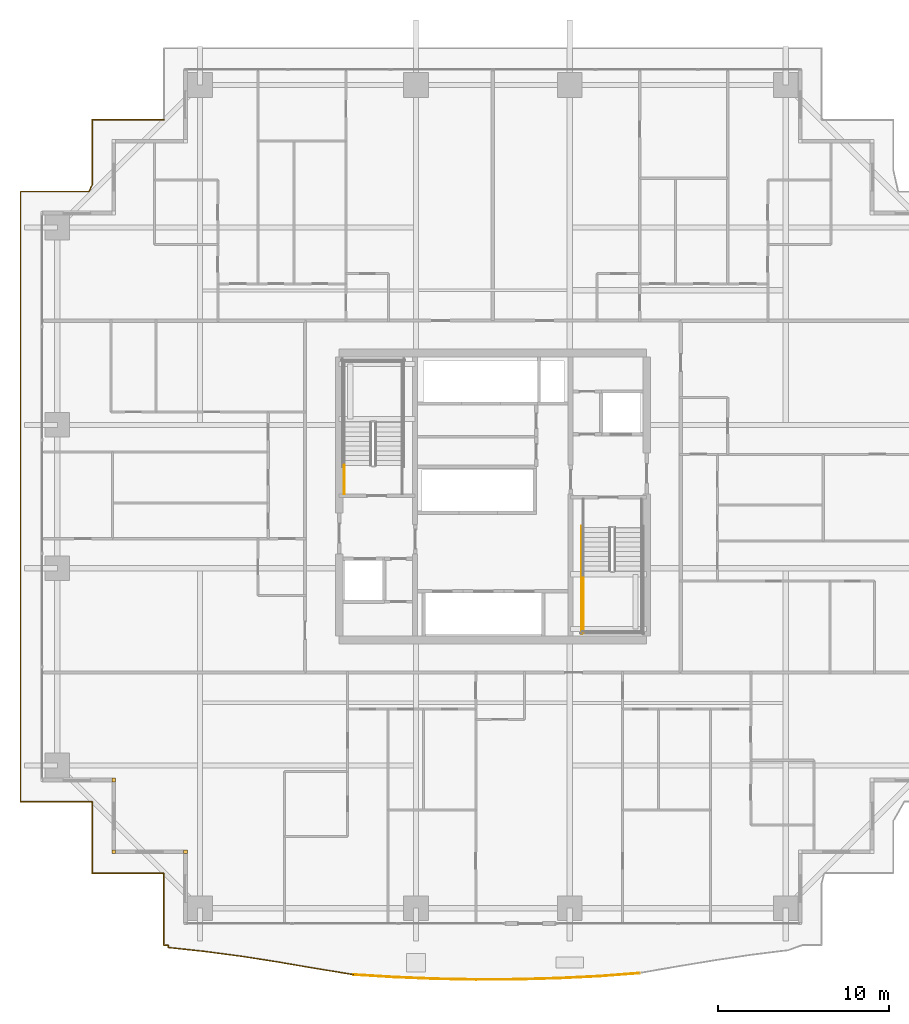
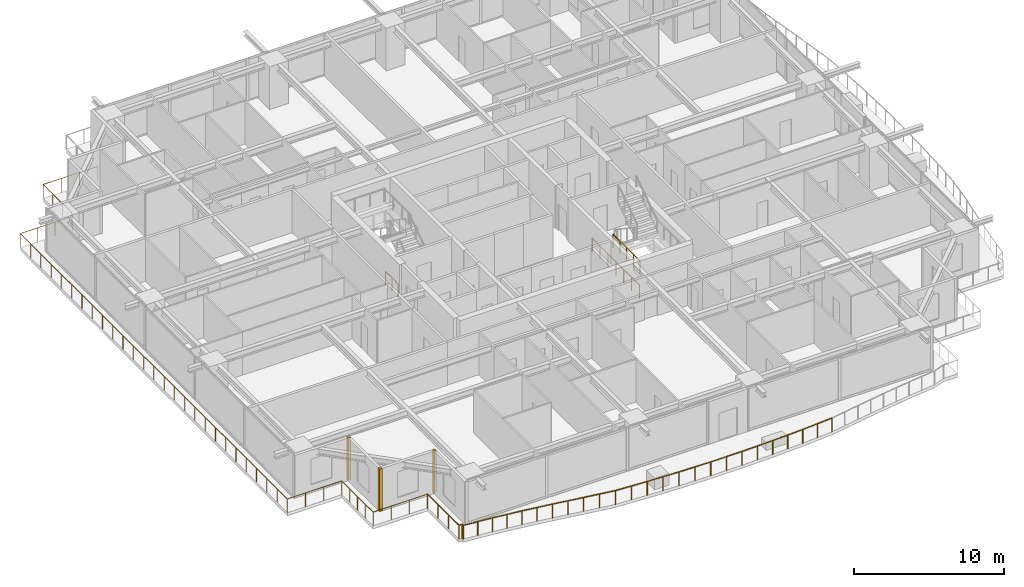
# One storey, part 34 of 39: 6 railings, 3 coverings.
"""IFC4 building model written with IfcOpenShell, lengths in metres."""

from ifc_helpers import new_model, si_unit, direction, frame, origin, origin_2d, place, context, subcontext, project, spatial, rectangle, circle, extrude, source, transform, mapped, material, layer, layer_set, type_object, element, save


model = new_model("IFC4")

# Units and contexts
model_context = context("Model", 3, precision=1e-05, world=origin(), true_north=direction((0.0, 1.0)))
body_context = subcontext(model_context, "Body", "Model", "MODEL_VIEW")
ifc_project = project(units=[si_unit("LENGTHUNIT", "METRE"), si_unit("AREAUNIT", "SQUARE_METRE"), si_unit("VOLUMEUNIT", "CUBIC_METRE"), si_unit("PLANEANGLEUNIT", "RADIAN"), si_unit("MASSUNIT", "GRAM", prefix="KILO")], contexts=[model_context])

# Site, building, storey
site_placement = place(None, origin())
site = spatial("IfcSite", under=ifc_project, at=site_placement, CompositionType="ELEMENT")
building_placement = place(site_placement, origin())
building = spatial("IfcBuilding", under=site, at=building_placement, Name="Serunith Strait Residences", CompositionType="ELEMENT")
storey_placement = place(building_placement, frame((0.0, 0.0, 94.199951171875)))
storey = spatial("IfcBuildingStorey", under=building, at=storey_placement, Name="L23", CompositionType="ELEMENT", Elevation=94.199951171875)

# Railings
ifc_material_1 = material(Name="Stainless Steel & Laminated Glass Balustrade", Category="steel")
railing_type_1 = type_object("IfcRailingType", Name="RLG-BALC-1150", PredefinedType="BALUSTRADE", material=ifc_material_1)
railing_1_placement = place(storey_placement, frame((13.139892578125, 3.139892578125, -0.050048828125)))
element("IfcRailing", 1, at=railing_1_placement, inside=storey, type_object=railing_type_1, Name="L23 Swirling Balcony Perimeter Balustrade 1", PredefinedType="BALUSTRADE", context=body_context, shape_type="SweptSolid", body=[
    extrude(circle(Radius=0.02392578125, at=origin_2d()), frame((-0.001953125, 0.0, 1.1259765625), z_axis=(-1.0, 0.0, 0.0), x_axis=(0.0, -1.0, 0.0)), (0.0, 0.0, 1.0), 4.196044921875),
    extrude(circle(Radius=0.02392578125, at=origin_2d()), frame((-4.199951171875, 0.001953125, 1.1259765625), z_axis=(0.0, 1.0, 0.0), x_axis=(-1.0, 0.0, 0.0)), (0.0, 0.0, 1.0), 4.1962890625),
    extrude(circle(Radius=0.02392578125, at=origin_2d()), frame((-4.201904296875, 4.2001953125, 1.1259765625), z_axis=(-1.0, 0.0, 0.0), x_axis=(0.0, -1.0, 0.0)), (0.0, 0.0, 1.0), 4.196044921875),
    extrude(circle(Radius=0.02392578125, at=origin_2d()), frame((-8.39990234375, 4.2021484375, 1.1259765625), z_axis=(0.0, 1.0, 0.0), x_axis=(-1.0, 0.0, 0.0)), (0.0, 0.0, 1.0), 35.716064453125),
    extrude(circle(Radius=0.02392578125, at=origin_2d()), frame((-8.39794921875, 39.920166015625, 1.1259765625), z_axis=(1.0, 0.0, 0.0), x_axis=(0.0, 1.0, 0.0)), (0.0, 0.0, 1.0), 4.014892578125),
    extrude(circle(Radius=0.02392578125, at=origin_2d()), frame((-4.38037109375, 39.921875, 1.1259765625), z_axis=(0.414518347731, 0.91004095479, 0.0), x_axis=(-0.91004095479, 0.414518347731, 0.0)), (0.0, 0.0, 1.0), 0.43310546875),
    extrude(circle(Radius=0.02392578125, at=origin_2d()), frame((-4.199951171875, 40.31982421875, 1.1259765625), z_axis=(0.0, 1.0, 0.0), x_axis=(-1.0, 0.0, 0.0)), (0.0, 0.0, 1.0), 3.79833984375),
    extrude(circle(Radius=0.02392578125, at=origin_2d()), frame((-4.197998046875, 44.1201171875, 1.1259765625), z_axis=(1.0, 0.0, 0.0), x_axis=(0.0, 1.0, 0.0)), (0.0, 0.0, 1.0), 4.196044921875),
    extrude(circle(Radius=0.02099609375, at=origin_2d()), origin(), (0.0, 0.0, 1.0), 1.099853515625),
    extrude(circle(Radius=0.02099609375, at=origin_2d()), frame((-1.39990234375, 0.0, 0.0)), (0.0, 0.0, 1.0), 1.099853515625),
    extrude(circle(Radius=0.02099609375, at=origin_2d()), frame((-2.800048828125, 0.0, 0.0)), (0.0, 0.0, 1.0), 1.099853515625),
    extrude(circle(Radius=0.02099609375, at=origin_2d()), frame((-4.199951171875, 0.0, 0.0)), (0.0, 0.0, 1.0), 1.099853515625),
    extrude(circle(Radius=0.02099609375, at=origin_2d()), frame((-4.199951171875, 1.050048828125, 0.0)), (0.0, 0.0, 1.0), 1.099853515625),
    extrude(circle(Radius=0.02099609375, at=origin_2d()), frame((-4.199951171875, 2.10009765625, 0.0)), (0.0, 0.0, 1.0), 1.099853515625),
    extrude(circle(Radius=0.02099609375, at=origin_2d()), frame((-4.199951171875, 3.150146484375, 0.0)), (0.0, 0.0, 1.0), 1.099853515625),
    extrude(circle(Radius=0.02099609375, at=origin_2d()), frame((-4.199951171875, 4.2001953125, 0.0)), (0.0, 0.0, 1.0), 1.099853515625),
    extrude(circle(Radius=0.02099609375, at=origin_2d()), frame((-5.599853515625, 4.2001953125, 0.0)), (0.0, 0.0, 1.0), 1.099853515625),
    extrude(circle(Radius=0.02099609375, at=origin_2d()), frame((-7.0, 4.2001953125, 0.0)), (0.0, 0.0, 1.0), 1.099853515625),
    extrude(circle(Radius=0.02099609375, at=origin_2d()), frame((-8.39990234375, 4.2001953125, 0.0)), (0.0, 0.0, 1.0), 1.099853515625),
    extrude(circle(Radius=0.02099609375, at=origin_2d()), frame((-8.39990234375, 5.573974609375, 0.0)), (0.0, 0.0, 1.0), 1.099853515625),
    extrude(circle(Radius=0.02099609375, at=origin_2d()), frame((-8.39990234375, 6.947998046875, 0.0)), (0.0, 0.0, 1.0), 1.099853515625),
    extrude(circle(Radius=0.02099609375, at=origin_2d()), frame((-8.39990234375, 8.32177734375, 0.0)), (0.0, 0.0, 1.0), 1.099853515625),
    extrude(circle(Radius=0.02099609375, at=origin_2d()), frame((-8.39990234375, 9.695556640625, 0.0)), (0.0, 0.0, 1.0), 1.099853515625),
    extrude(circle(Radius=0.02099609375, at=origin_2d()), frame((-8.39990234375, 11.0693359375, 0.0)), (0.0, 0.0, 1.0), 1.099853515625),
    extrude(circle(Radius=0.02099609375, at=origin_2d()), frame((-8.39990234375, 12.443359375, 0.0)), (0.0, 0.0, 1.0), 1.099853515625),
    extrude(circle(Radius=0.02099609375, at=origin_2d()), frame((-8.39990234375, 13.817138671875, 0.0)), (0.0, 0.0, 1.0), 1.099853515625),
    extrude(circle(Radius=0.02099609375, at=origin_2d()), frame((-8.39990234375, 15.19091796875, 0.0)), (0.0, 0.0, 1.0), 1.099853515625),
    extrude(circle(Radius=0.02099609375, at=origin_2d()), frame((-8.39990234375, 16.564697265625, 0.0)), (0.0, 0.0, 1.0), 1.099853515625),
    extrude(circle(Radius=0.02099609375, at=origin_2d()), frame((-8.39990234375, 17.938720703125, 0.0)), (0.0, 0.0, 1.0), 1.099853515625),
    extrude(circle(Radius=0.02099609375, at=origin_2d()), frame((-8.39990234375, 19.3125, 0.0)), (0.0, 0.0, 1.0), 1.099853515625),
    extrude(circle(Radius=0.02099609375, at=origin_2d()), frame((-8.39990234375, 20.686279296875, 0.0)), (0.0, 0.0, 1.0), 1.099853515625),
    extrude(circle(Radius=0.02099609375, at=origin_2d()), frame((-8.39990234375, 22.06005859375, 0.0)), (0.0, 0.0, 1.0), 1.099853515625),
    extrude(circle(Radius=0.02099609375, at=origin_2d()), frame((-8.39990234375, 23.43408203125, 0.0)), (0.0, 0.0, 1.0), 1.099853515625),
    extrude(circle(Radius=0.02099609375, at=origin_2d()), frame((-8.39990234375, 24.807861328125, 0.0)), (0.0, 0.0, 1.0), 1.099853515625),
    extrude(circle(Radius=0.02099609375, at=origin_2d()), frame((-8.39990234375, 26.181640625, 0.0)), (0.0, 0.0, 1.0), 1.099853515625),
    extrude(circle(Radius=0.02099609375, at=origin_2d()), frame((-8.39990234375, 27.5556640625, 0.0)), (0.0, 0.0, 1.0), 1.099853515625),
    extrude(circle(Radius=0.02099609375, at=origin_2d()), frame((-8.39990234375, 28.929443359375, 0.0)), (0.0, 0.0, 1.0), 1.099853515625),
    extrude(circle(Radius=0.02099609375, at=origin_2d()), frame((-8.39990234375, 30.30322265625, 0.0)), (0.0, 0.0, 1.0), 1.099853515625),
    extrude(circle(Radius=0.02099609375, at=origin_2d()), frame((-8.39990234375, 31.677001953125, 0.0)), (0.0, 0.0, 1.0), 1.099853515625),
    extrude(circle(Radius=0.02099609375, at=origin_2d()), frame((-8.39990234375, 33.051025390625, 0.0)), (0.0, 0.0, 1.0), 1.099853515625),
    extrude(circle(Radius=0.02099609375, at=origin_2d()), frame((-8.39990234375, 34.4248046875, 0.0)), (0.0, 0.0, 1.0), 1.099853515625),
    extrude(circle(Radius=0.02099609375, at=origin_2d()), frame((-8.39990234375, 35.798583984375, 0.0)), (0.0, 0.0, 1.0), 1.099853515625),
    extrude(circle(Radius=0.02099609375, at=origin_2d()), frame((-8.39990234375, 37.17236328125, 0.0)), (0.0, 0.0, 1.0), 1.099853515625),
    extrude(circle(Radius=0.02099609375, at=origin_2d()), frame((-8.39990234375, 38.54638671875, 0.0)), (0.0, 0.0, 1.0), 1.099853515625),
    extrude(circle(Radius=0.02099609375, at=origin_2d()), frame((-8.39990234375, 39.920166015625, 0.0)), (0.0, 0.0, 1.0), 1.099853515625),
    extrude(circle(Radius=0.02099609375, at=origin_2d()), frame((-7.060302734375, 39.920166015625, 0.0)), (0.0, 0.0, 1.0), 1.099853515625),
    extrude(circle(Radius=0.02099609375, at=origin_2d()), frame((-5.720703125, 39.920166015625, 0.0)), (0.0, 0.0, 1.0), 1.099853515625),
    extrude(circle(Radius=0.02099609375, at=origin_2d()), frame((-4.381103515625, 39.920166015625, 0.0)), (0.0, 0.0, 1.0), 1.099853515625),
    extrude(circle(Radius=0.02099609375, at=origin_2d()), frame((-4.199951171875, 40.31787109375, 0.0)), (0.0, 0.0, 1.0), 1.099853515625),
    extrude(circle(Radius=0.02099609375, at=origin_2d()), frame((-4.199951171875, 41.585205078125, 0.0)), (0.0, 0.0, 1.0), 1.099853515625),
    extrude(circle(Radius=0.02099609375, at=origin_2d()), frame((-4.199951171875, 42.852783203125, 0.0)), (0.0, 0.0, 1.0), 1.099853515625),
    extrude(circle(Radius=0.02099609375, at=origin_2d()), frame((-4.199951171875, 44.1201171875, 0.0)), (0.0, 0.0, 1.0), 1.099853515625),
    extrude(circle(Radius=0.02099609375, at=origin_2d()), frame((-2.800048828125, 44.1201171875, 0.0)), (0.0, 0.0, 1.0), 1.099853515625),
    extrude(circle(Radius=0.02099609375, at=origin_2d()), frame((-1.39990234375, 44.1201171875, 0.0)), (0.0, 0.0, 1.0), 1.099853515625),
    extrude(circle(Radius=0.02099609375, at=origin_2d()), frame((0.0, 44.1201171875, 0.0)), (0.0, 0.0, 1.0), 1.099853515625),
])
railing_2_placement = place(storey_placement, frame((40.99365234375, -2.701171875, -0.050048828125)))
element("IfcRailing", 2, at=railing_2_placement, inside=storey, type_object=railing_type_1, Name="L23 Swirling Balcony Perimeter Balustrade 7", PredefinedType="BALUSTRADE", context=body_context, shape_type="SweptSolid", body=[
    extrude(circle(Radius=0.02392578125, at=origin_2d()), frame((-0.001953125, -0.000244140625, 1.1259765625), z_axis=(-0.997074556134, -0.076435132692, 0.0), x_axis=(0.076435132692, -0.997074556134, 0.0)), (0.0, 0.0, 1.0), 2.353271484375),
    extrude(circle(Radius=0.02392578125, at=origin_2d()), frame((-2.352294921875, -0.18017578125, 1.1259765625), z_axis=(-0.998794478111, -0.049087579848, 0.0), x_axis=(0.049087579848, -0.998794478111, 0.0)), (0.0, 0.0, 1.0), 2.38818359375),
    extrude(circle(Radius=0.02392578125, at=origin_2d()), frame((-4.74169921875, -0.297607421875, 1.1259765625), z_axis=(-0.99960160212, -0.028224759335, 0.0), x_axis=(0.028224759335, -0.99960160212, 0.0)), (0.0, 0.0, 1.0), 2.409423828125),
    extrude(circle(Radius=0.02392578125, at=origin_2d()), frame((-7.154052734375, -0.36572265625, 1.1259765625), z_axis=(-0.999987297816, -0.005040258558, 0.0), x_axis=(0.005040258558, -0.999987297816, 0.0)), (0.0, 0.0, 1.0), 2.41796875),
    extrude(circle(Radius=0.02392578125, at=origin_2d()), frame((-9.575927734375, -0.3779296875, 1.1259765625), z_axis=(-0.999825481432, 0.018681720439, 0.0), x_axis=(-0.018681720439, -0.999825481432, 0.0)), (0.0, 0.0, 1.0), 2.41357421875),
    extrude(circle(Radius=0.02392578125, at=origin_2d()), frame((-11.9931640625, -0.332763671875, 1.1259765625), z_axis=(-0.999138529198, 0.041499391216, 0.0), x_axis=(-0.041499391216, -0.999138529198, 0.0)), (0.0, 0.0, 1.0), 2.396240234375),
    extrude(circle(Radius=0.02392578125, at=origin_2d()), frame((-14.391357421875, -0.23291015625, 1.1259765625), z_axis=(-0.998129495838, 0.061135174317, 0.0), x_axis=(-0.061135174317, -0.998129495838, 0.0)), (0.0, 0.0, 1.0), 2.3681640625),
    extrude(circle(Radius=0.02099609375, at=origin_2d()), origin(), (0.0, 0.0, 1.0), 1.099853515625),
    extrude(circle(Radius=0.02099609375, at=origin_2d()), frame((-1.17529296875, -0.090087890625, 0.0)), (0.0, 0.0, 1.0), 1.099853515625),
    extrude(circle(Radius=0.02099609375, at=origin_2d()), frame((-2.350341796875, -0.18017578125, 0.0)), (0.0, 0.0, 1.0), 1.099853515625),
    extrude(circle(Radius=0.02099609375, at=origin_2d()), frame((-3.544921875, -0.23876953125, 0.0)), (0.0, 0.0, 1.0), 1.099853515625),
    extrude(circle(Radius=0.02099609375, at=origin_2d()), frame((-4.73974609375, -0.297607421875, 0.0)), (0.0, 0.0, 1.0), 1.099853515625),
    extrude(circle(Radius=0.02099609375, at=origin_2d()), frame((-5.94580078125, -0.33154296875, 0.0)), (0.0, 0.0, 1.0), 1.099853515625),
    extrude(circle(Radius=0.02099609375, at=origin_2d()), frame((-7.152099609375, -0.36572265625, 0.0)), (0.0, 0.0, 1.0), 1.099853515625),
    extrude(circle(Radius=0.02099609375, at=origin_2d()), frame((-8.363037109375, -0.371826171875, 0.0)), (0.0, 0.0, 1.0), 1.099853515625),
    extrude(circle(Radius=0.02099609375, at=origin_2d()), frame((-9.573974609375, -0.3779296875, 0.0)), (0.0, 0.0, 1.0), 1.099853515625),
    extrude(circle(Radius=0.02099609375, at=origin_2d()), frame((-10.78271484375, -0.35546875, 0.0)), (0.0, 0.0, 1.0), 1.099853515625),
    extrude(circle(Radius=0.02099609375, at=origin_2d()), frame((-11.9912109375, -0.332763671875, 0.0)), (0.0, 0.0, 1.0), 1.099853515625),
    extrude(circle(Radius=0.02099609375, at=origin_2d()), frame((-13.1904296875, -0.282958984375, 0.0)), (0.0, 0.0, 1.0), 1.099853515625),
    extrude(circle(Radius=0.02099609375, at=origin_2d()), frame((-14.389404296875, -0.233154296875, 0.0)), (0.0, 0.0, 1.0), 1.099853515625),
    extrude(circle(Radius=0.02099609375, at=origin_2d()), frame((-15.5732421875, -0.16064453125, 0.0)), (0.0, 0.0, 1.0), 1.099853515625),
    extrude(circle(Radius=0.02099609375, at=origin_2d()), frame((-16.757080078125, -0.088134765625, 0.0)), (0.0, 0.0, 1.0), 1.099853515625),
])
railing_3_placement = place(storey_placement, frame((24.236572265625, -2.789306640625, -0.050048828125)))
element("IfcRailing", 3, at=railing_3_placement, inside=storey, type_object=railing_type_1, Name="L23 Swirling Balcony Perimeter Balustrade 8", PredefinedType="BALUSTRADE", context=body_context, shape_type="SweptSolid", body=[
    extrude(circle(Radius=0.02392578125, at=origin_2d()), frame((-0.001953125, 0.000244140625, 1.1259765625), z_axis=(-0.986797491527, 0.161958978499, 0.0), x_axis=(-0.161958978499, -0.986797491527, 0.0)), (0.0, 0.0, 1.0), 2.2841796875),
    extrude(circle(Radius=0.02392578125, at=origin_2d()), frame((-2.260009765625, 0.370849609375, 1.1259765625), z_axis=(-0.985684859819, 0.168598212103, 0.0), x_axis=(-0.168598212103, -0.985684859819, 0.0)), (0.0, 0.0, 1.0), 2.22021484375),
    extrude(circle(Radius=0.02392578125, at=origin_2d()), frame((-4.452392578125, 0.745849609375, 1.1259765625), z_axis=(-0.988155433612, 0.153456309817, 0.0), x_axis=(-0.153456309817, -0.988155433612, 0.0)), (0.0, 0.0, 1.0), 2.17236328125),
    extrude(circle(Radius=0.02392578125, at=origin_2d()), frame((-6.60302734375, 1.079833984375, 1.1259765625), z_axis=(-0.991416687265, 0.130740017637, 0.0), x_axis=(-0.130740017637, -0.991416687265, 0.0)), (0.0, 0.0, 1.0), 2.1416015625),
    extrude(circle(Radius=0.02392578125, at=origin_2d()), frame((-8.730224609375, 1.3603515625, 1.1259765625), z_axis=(-0.994367093253, 0.105990961196, 0.0), x_axis=(-0.105990961196, -0.994367093253, 0.0)), (0.0, 0.0, 1.0), 2.126708984375),
    extrude(circle(Radius=0.02392578125, at=origin_2d()), frame((-10.846923828125, 1.587890625, 1.1259765625), z_axis=(0.006814151846, 0.999976783398, 0.0), x_axis=(-0.999976783398, 0.006814151846, 0.0)), (0.0, 0.0, 1.0), 0.139404296875),
    extrude(circle(Radius=0.02392578125, at=origin_2d()), frame((-10.847900390625, 1.729248046875, 1.1259765625), z_axis=(-1.0, 0.0, 0.0), x_axis=(0.0, -1.0, 0.0)), (0.0, 0.0, 1.0), 0.246826171875),
    extrude(circle(Radius=0.02392578125, at=origin_2d()), frame((-11.0966796875, 1.731201171875, 1.1259765625), z_axis=(0.0, 1.0, 0.0), x_axis=(-1.0, 0.0, 0.0)), (0.0, 0.0, 1.0), 4.196044921875),
    extrude(circle(Radius=0.02099609375, at=origin_2d()), origin(), (0.0, 0.0, 1.0), 1.099853515625),
    extrude(circle(Radius=0.02099609375, at=origin_2d()), frame((-1.12890625, 0.185302734375, 0.0)), (0.0, 0.0, 1.0), 1.099853515625),
    extrude(circle(Radius=0.02099609375, at=origin_2d()), frame((-2.258056640625, 0.37060546875, 0.0)), (0.0, 0.0, 1.0), 1.099853515625),
    extrude(circle(Radius=0.02099609375, at=origin_2d()), frame((-3.354248046875, 0.55810546875, 0.0)), (0.0, 0.0, 1.0), 1.099853515625),
    extrude(circle(Radius=0.02099609375, at=origin_2d()), frame((-4.450439453125, 0.74560546875, 0.0)), (0.0, 0.0, 1.0), 1.099853515625),
    extrude(circle(Radius=0.02099609375, at=origin_2d()), frame((-5.52587890625, 0.91259765625, 0.0)), (0.0, 0.0, 1.0), 1.099853515625),
    extrude(circle(Radius=0.02099609375, at=origin_2d()), frame((-6.60107421875, 1.07958984375, 0.0)), (0.0, 0.0, 1.0), 1.099853515625),
    extrude(circle(Radius=0.02099609375, at=origin_2d()), frame((-7.66455078125, 1.2197265625, 0.0)), (0.0, 0.0, 1.0), 1.099853515625),
    extrude(circle(Radius=0.02099609375, at=origin_2d()), frame((-8.728271484375, 1.360107421875, 0.0)), (0.0, 0.0, 1.0), 1.099853515625),
    extrude(circle(Radius=0.02099609375, at=origin_2d()), frame((-9.78759765625, 1.47314453125, 0.0)), (0.0, 0.0, 1.0), 1.099853515625),
    extrude(circle(Radius=0.02099609375, at=origin_2d()), frame((-10.846923828125, 1.5859375, 0.0)), (0.0, 0.0, 1.0), 1.099853515625),
    extrude(circle(Radius=0.02099609375, at=origin_2d()), frame((-10.845947265625, 1.729248046875, 0.0)), (0.0, 0.0, 1.0), 1.099853515625),
    extrude(circle(Radius=0.02099609375, at=origin_2d()), frame((-11.0966796875, 1.729248046875, 0.0)), (0.0, 0.0, 1.0), 1.099853515625),
    extrude(circle(Radius=0.02099609375, at=origin_2d()), frame((-11.0966796875, 3.129150390625, 0.0)), (0.0, 0.0, 1.0), 1.099853515625),
    extrude(circle(Radius=0.02099609375, at=origin_2d()), frame((-11.0966796875, 4.529296875, 0.0)), (0.0, 0.0, 1.0), 1.099853515625),
    extrude(circle(Radius=0.02099609375, at=origin_2d()), frame((-11.0966796875, 5.92919921875, 0.0)), (0.0, 0.0, 1.0), 1.099853515625),
])
ifc_material_2 = material(Name="Brushed stainless steel 316L", Category="steel")
railing_type_2 = type_object("IfcRailingType", Name="RLG-STAIR-GUARD", PredefinedType="BALUSTRADE", material=ifc_material_2)
railing_4_placement = place(storey_placement, frame((23.699951171875, 25.35009765625, 0.0)))
element("IfcRailing", 4, at=railing_4_placement, inside=storey, type_object=railing_type_2, Name="L23 ST-1 stair guard 9", PredefinedType="BALUSTRADE", context=body_context, shape_type="SweptSolid", body=[
    extrude(circle(Radius=0.02392578125, at=origin_2d()), frame((0.0, 0.001953125, 1.076171875), z_axis=(0.0, 1.0, 0.0), x_axis=(-1.0, 0.0, 0.0)), (0.0, 0.0, 1.0), 1.676025390625),
    extrude(circle(Radius=0.02099609375, at=origin_2d()), origin(), (0.0, 0.0, 1.0), 1.050048828125),
    extrude(circle(Radius=0.02099609375, at=origin_2d()), frame((0.0, 0.83984375, 0.0)), (0.0, 0.0, 1.0), 1.050048828125),
    extrude(circle(Radius=0.02099609375, at=origin_2d()), frame((0.0, 1.679931640625, 0.0)), (0.0, 0.0, 1.0), 1.050048828125),
])
railing_5_placement = place(storey_placement, frame((37.699951171875, 20.85009765625, 1.875)))
element("IfcRailing", 5, at=railing_5_placement, inside=storey, type_object=railing_type_2, Name="L23 ST-2 stair guard 3", PredefinedType="BALUSTRADE", context=body_context, shape_type="SweptSolid", body=[
    extrude(circle(Radius=0.02392578125, at=origin_2d()), frame((0.0, -0.001953125, 1.076171875), z_axis=(0.0, -1.0, 0.0), x_axis=(1.0, 0.0, 0.0)), (0.0, 0.0, 1.0), 3.59619140625),
    extrude(circle(Radius=0.02099609375, at=origin_2d()), origin(), (0.0, 0.0, 1.0), 1.050048828125),
    extrude(circle(Radius=0.02099609375, at=origin_2d()), frame((0.0, -0.89990234375, 0.0)), (0.0, 0.0, 1.0), 1.050048828125),
    extrude(circle(Radius=0.02099609375, at=origin_2d()), frame((0.0, -1.800048828125, 0.0)), (0.0, 0.0, 1.0), 1.050048828125),
    extrude(circle(Radius=0.02099609375, at=origin_2d()), frame((0.0, -2.7001953125, 0.0)), (0.0, 0.0, 1.0), 1.050048828125),
    extrude(circle(Radius=0.02099609375, at=origin_2d()), frame((0.0, -3.60009765625, 0.0)), (0.0, 0.0, 1.0), 1.050048828125),
])
railing_6_placement = place(storey_placement, frame((37.60009765625, 23.469970703125, 0.0)))
element("IfcRailing", 6, at=railing_6_placement, inside=storey, type_object=railing_type_2, Name="L23 ST-2 stair guard 10", PredefinedType="BALUSTRADE", context=body_context, shape_type="SweptSolid", body=[
    extrude(circle(Radius=0.02392578125, at=origin_2d()), frame((0.0, -0.001953125, 1.076171875), z_axis=(0.0, -1.0, 0.0), x_axis=(1.0, 0.0, 0.0)), (0.0, 0.0, 1.0), 6.316162109375),
    extrude(circle(Radius=0.02099609375, at=origin_2d()), origin(), (0.0, 0.0, 1.0), 1.050048828125),
    extrude(circle(Radius=0.02099609375, at=origin_2d()), frame((0.0, -1.05322265625, 0.0)), (0.0, 0.0, 1.0), 1.050048828125),
    extrude(circle(Radius=0.02099609375, at=origin_2d()), frame((0.0, -2.106689453125, 0.0)), (0.0, 0.0, 1.0), 1.050048828125),
    extrude(circle(Radius=0.02099609375, at=origin_2d()), frame((0.0, -3.16015625, 0.0)), (0.0, 0.0, 1.0), 1.050048828125),
    extrude(circle(Radius=0.02099609375, at=origin_2d()), frame((0.0, -4.21337890625, 0.0)), (0.0, 0.0, 1.0), 1.050048828125),
    extrude(circle(Radius=0.02099609375, at=origin_2d()), frame((0.0, -5.2666015625, 0.0)), (0.0, 0.0, 1.0), 1.050048828125),
    extrude(circle(Radius=0.02099609375, at=origin_2d()), frame((0.0, -6.320068359375, 0.0)), (0.0, 0.0, 1.0), 1.050048828125),
])

# Coverings
ifc_material_3 = material(Name="Pale-Champagne Anodised Aluminium", Category="aluminium")
ifc_layer = layer(ifc_material_3, 0.219970703125, Name="Pale-Champagne Anodised Aluminium")
ifc_layer_set = layer_set([ifc_layer], Name="Pale-Champagne Anodised Aluminium")
covering_type = type_object("IfcCoveringType", Name="COV-CORN-TRIM", PredefinedType="CLADDING", material=ifc_layer_set)
shared_shape = source(origin(), body_context, "Body", "SweptSolid", [
    extrude(rectangle(XDim=0.221923828125, YDim=0.221923828125, at=origin_2d()), origin(), (0.0, 0.0, 1.0), 3.47509765625),
])
for number, where, z_axis, x_axis, name in (
    (7, (10.199951171875, 8.60009765625, 0.0), (0.0, 0.0, 1.0), (1.0, 0.0, 0.0), "L23 Girih Serrated Corner Trim Post 17"),
    (8, (10.199951171875, 4.39990234375, 0.0), (0.0, 0.0, 1.0), (1.0, 0.0, 0.0), "L23 Girih Serrated Corner Trim Post 18"),
    (9, (14.39990234375, 4.39990234375, 0.0), (0.0, 0.0, 1.0), (1.0, 0.0, 0.0), "L23 Girih Serrated Corner Trim Post 19"),
):
    element("IfcCovering", number, at=place(storey_placement, frame(where, z_axis=z_axis, x_axis=x_axis)), inside=storey, type_object=covering_type, Name=name, PredefinedType="CLADDING", context=body_context, shape_type="MappedRepresentation", body=[
        mapped(shared_shape, transform((0.0, 0.0, 0.0), scale=1.0)),
    ])

save(model, "model.ifc")
